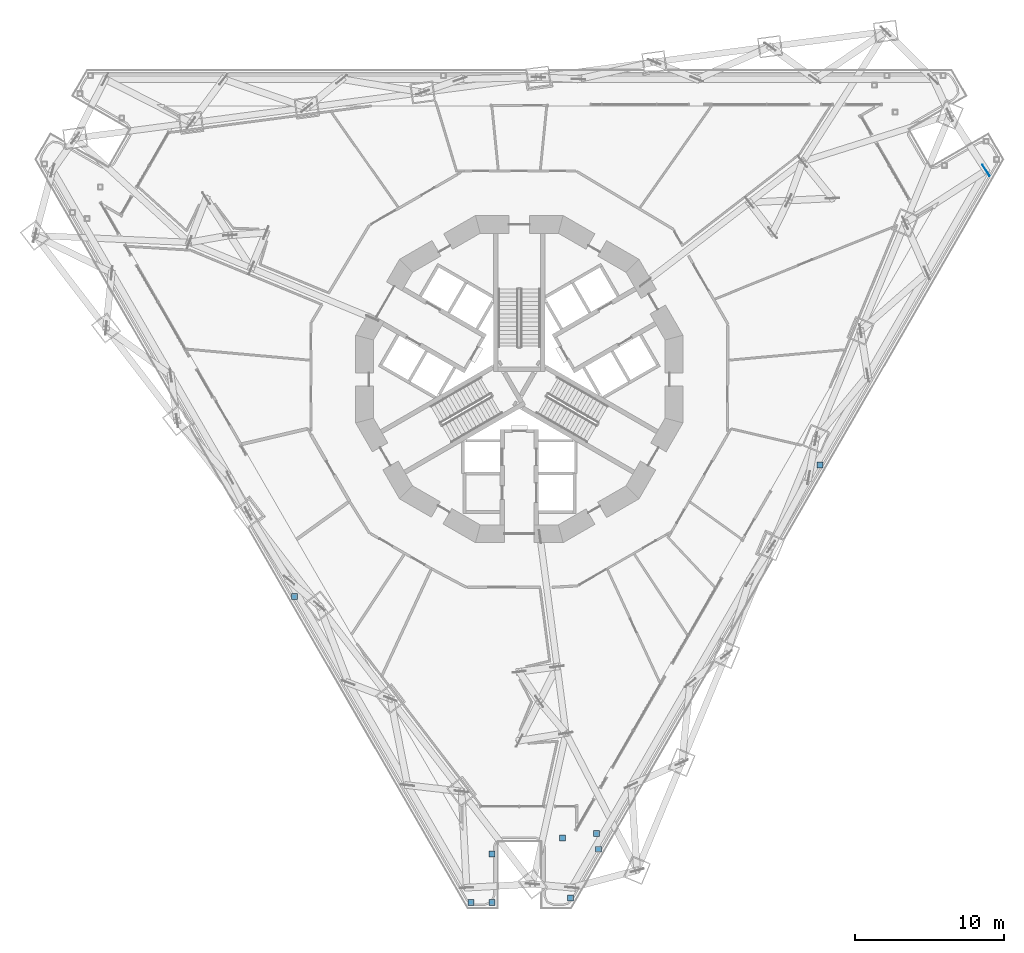
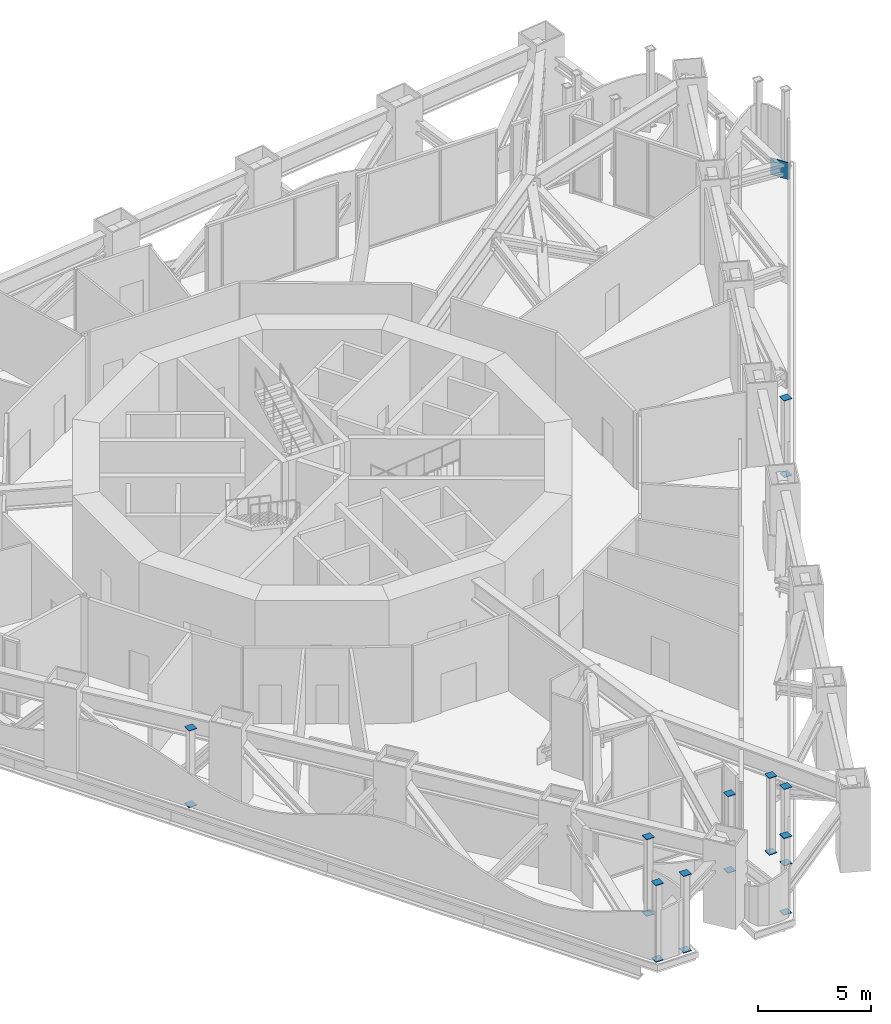
# One storey, part 19 of 28: 19 discrete accessories.
"""IFC4 building model written with IfcOpenShell, lengths in metres."""

import ifcopenshell
import ifcopenshell.guid

model = None  # the IFC model being written
_history = None  # IfcOwnerHistory: only IFC2X3 demands one
_inside = {}  # id of a spatial element -> (the spatial element, [elements in it])
_under = {}  # id of a project, library or spatial element -> (it, [spatial elements below it])
_declared = {}  # id of a project -> (the project, [libraries it declares])
_typed = {}  # id of a type object -> (the type object, [elements of that type])
_made_of = {}  # id of a material, layer set ... -> (it, [elements and type objects made of it])


def new_model(schema):
    """Start an empty IFC model of exactly this schema.

    Asked for "IFC4X3", IfcOpenShell would pick the latest addendum, in which some entities
    have other attributes; the version numbers below select the first issue.
    IFC2X3 requires an IfcOwnerHistory on every rooted entity: one is made here for all.
    """
    global model, _history
    if schema == "IFC4X3":
        model = ifcopenshell.file(schema_version=(4, 3, 0, 0))
    else:
        model = ifcopenshell.file(schema=schema)
    _inside.clear()
    _under.clear()
    _declared.clear()
    _typed.clear()
    _made_of.clear()
    _history = None
    if model.schema == "IFC2X3":
        org = make("IfcOrganization", Name="unknown")
        user = make(
            "IfcPersonAndOrganization",
            ThePerson=make("IfcPerson", FamilyName="unknown"),
            TheOrganization=org,
        )
        app = make(
            "IfcApplication",
            ApplicationDeveloper=org,
            Version="unknown",
            ApplicationFullName="unknown",
            ApplicationIdentifier="unknown",
        )
        _history = make(
            "IfcOwnerHistory",
            OwningUser=user,
            OwningApplication=app,
            ChangeAction="ADDED",
            CreationDate=0,
        )
    return model


def make(cls, **values):
    """One entity of the class cls with the attributes given. An attribute that is None is left unset."""
    return model.create_entity(
        cls, **{name: value for name, value in values.items() if value is not None}
    )


def rooted(cls, **values):
    """An entity with a GlobalId (a new one), such as an element, a storey or a relation."""
    return make(cls, GlobalId=ifcopenshell.guid.new(), OwnerHistory=_history, **values)


def si_unit(unit_type, name, prefix=None):
    """IfcSIUnit, for example si_unit("LENGTHUNIT", "METRE", prefix="MILLI")."""
    return make("IfcSIUnit", UnitType=unit_type, Prefix=prefix, Name=name)


def assignment(units):
    """IfcUnitAssignment: the units of a project."""
    return None if units is None else make("IfcUnitAssignment", Units=units)


def point(xyz):
    """IfcCartesianPoint."""
    return None if xyz is None else make("IfcCartesianPoint", Coordinates=xyz)


def direction(xyz):
    """IfcDirection."""
    return None if xyz is None else make("IfcDirection", DirectionRatios=xyz)


def frame(location, z_axis=None, x_axis=None):
    """IfcAxis2Placement3D, a coordinate frame: its origin and axes. An axis left out is left unset."""
    return make(
        "IfcAxis2Placement3D",
        Location=point(location),
        Axis=direction(z_axis),
        RefDirection=direction(x_axis),
    )


def frame_2d(location, x_axis=None):
    """IfcAxis2Placement2D, a coordinate frame in the plane: its origin and x axis."""
    return make(
        "IfcAxis2Placement2D", Location=point(location), RefDirection=direction(x_axis)
    )


def origin():
    """The frame at (0, 0, 0) with its axes left unset."""
    return frame((0.0, 0.0, 0.0))


def origin_2d():
    """The frame at (0, 0) in the plane with its x axis left unset."""
    return frame_2d((0.0, 0.0))


def place(relative_to, where):
    """IfcLocalPlacement: puts the frame where relative to a parent placement (None: the world)."""
    return make(
        "IfcLocalPlacement", PlacementRelTo=relative_to, RelativePlacement=where
    )


def context(
    kind, dimensions, precision=None, world=None, true_north=None, identifier=None
):
    """IfcGeometricRepresentationContext, for example the 3D "Model" context."""
    return make(
        "IfcGeometricRepresentationContext",
        ContextIdentifier=identifier,
        ContextType=kind,
        CoordinateSpaceDimension=dimensions,
        Precision=precision,
        WorldCoordinateSystem=world,
        TrueNorth=true_north,
    )


def subcontext(parent, identifier, kind, view, scale=None):
    """IfcGeometricRepresentationSubContext, for example "Body" below "Model"."""
    return make(
        "IfcGeometricRepresentationSubContext",
        ContextIdentifier=identifier,
        ContextType=kind,
        ParentContext=parent,
        TargetScale=scale,
        TargetView=view,
    )


def project(units=None, contexts=None):
    """IfcProject with its units and contexts."""
    return rooted(
        "IfcProject",
        Name="project",
        RepresentationContexts=contexts,
        UnitsInContext=assignment(units),
    )


def spatial(cls, under=None, at=None, **own):
    """A site, building, storey or space (cls), placed at a placement, below another one or the project."""
    s = rooted(cls, ObjectPlacement=at, **own)
    if under is not None:
        _under.setdefault(under.id(), (under, []))[1].append(s)
    return s


def profile(cls, at=None, kind="AREA", **sizes):
    """A parametric profile (cls). Its sizes go by their IFC names, for example OverallWidth=200.0."""
    return make(cls, ProfileType=kind, Position=at, **sizes)


def rectangle(**sizes):
    """IfcRectangleProfileDef."""
    return profile("IfcRectangleProfileDef", **sizes)


def extrude(swept, where, along, depth):
    """IfcExtrudedAreaSolid: the profile swept, set in the frame where, extruded along a direction by depth."""
    return make(
        "IfcExtrudedAreaSolid",
        SweptArea=swept,
        Position=where,
        ExtrudedDirection=direction(along),
        Depth=depth,
    )


def shape(context_of_items, identifier, shape_type, items):
    """IfcShapeRepresentation: the items that make up one representation, for example the "Body"."""
    return make(
        "IfcShapeRepresentation",
        ContextOfItems=context_of_items,
        RepresentationIdentifier=identifier,
        RepresentationType=shape_type,
        Items=items,
    )


def material(Name=None, Category=None):
    """IfcMaterial."""
    return make("IfcMaterial", Name=Name, Category=Category)


def made_of(thing, what):
    """Note that an element or type object is made of a material, layer set ...; save() writes the relation."""
    if what is not None:
        _made_of.setdefault(what.id(), (what, []))[1].append(thing)
    return thing


def element(
    cls,
    number,
    at=None,
    inside=None,
    cuts=None,
    type_object=None,
    material=None,
    context=None,
    identifier="Body",
    shape_type=None,
    held_by="IfcProductDefinitionShape",
    body=None,
    shapes=None,
    **own,
):
    """One element of the class cls, such as IfcWall. Its Tag is "e" and its number.

    at: its placement. inside: the storey or other place that contains it. cuts: it is an
    opening in that element (IfcRelVoidsElement). A single representation is given by context,
    identifier, shape_type and body (its items); several are given by shapes. held_by: the class
    of the entity that holds the representations. save() writes the other relations.
    """
    e = rooted(cls, Tag="e%d" % number, ObjectPlacement=at, **own)
    if body is not None:
        shapes = [shape(context, identifier, shape_type, body)]
    if shapes is not None:
        e.Representation = make(held_by, Representations=shapes)
    if inside is not None:
        _inside.setdefault(inside.id(), (inside, []))[1].append(e)
    if cuts is not None:
        rooted(
            "IfcRelVoidsElement", RelatingBuildingElement=cuts, RelatedOpeningElement=e
        )
    if type_object is not None:
        _typed.setdefault(type_object.id(), (type_object, []))[1].append(e)
    return made_of(e, material)


def aggregate(whole, parts):
    """IfcRelAggregates: a whole, such as a stair, and the parts it consists of."""
    return rooted("IfcRelAggregates", RelatingObject=whole, RelatedObjects=parts)


def save(model, path):
    """Write the relations noted so far, then the file.

    IfcRelAggregates (storeys below a building ...), IfcRelContainedInSpatialStructure (elements
    in a storey), IfcRelDefinesByType, IfcRelAssociatesMaterial and IfcRelDeclares: one each for
    every whole, place, type object, material and project.
    """
    for whole, parts in _under.values():
        aggregate(whole, parts)
    for where, things in _inside.values():
        rooted(
            "IfcRelContainedInSpatialStructure",
            RelatedElements=things,
            RelatingStructure=where,
        )
    for kind, things in _typed.values():
        rooted("IfcRelDefinesByType", RelatedObjects=things, RelatingType=kind)
    for what, things in _made_of.values():
        rooted("IfcRelAssociatesMaterial", RelatedObjects=things, RelatingMaterial=what)
    for by, libraries in _declared.values():
        rooted("IfcRelDeclares", RelatingContext=by, RelatedDefinitions=libraries)
    model.write(path)


model = new_model("IFC4")

# Units and contexts
model_context = context("Model", 3, precision=1e-05, world=origin(), true_north=direction((0.0, 1.0)))
body_context = subcontext(model_context, "Body", "Model", "MODEL_VIEW")
ifc_project = project(units=[si_unit("LENGTHUNIT", "METRE"), si_unit("AREAUNIT", "SQUARE_METRE"), si_unit("VOLUMEUNIT", "CUBIC_METRE"), si_unit("PLANEANGLEUNIT", "RADIAN"), si_unit("MASSUNIT", "GRAM", prefix="KILO")], contexts=[model_context])

# Site, building, storey
site_placement = place(None, origin())
site = spatial("IfcSite", under=ifc_project, at=site_placement, CompositionType="ELEMENT")
building_placement = place(site_placement, origin())
building = spatial("IfcBuilding", under=site, at=building_placement, Name="Trine Commons Tower", CompositionType="ELEMENT")
storey_placement = place(building_placement, frame((0.0, 0.0, 45.89990234375)))
storey = spatial("IfcBuildingStorey", under=building, at=storey_placement, Name="L10", CompositionType="ELEMENT", Elevation=45.89990234375)

# Discrete accessories
ifc_material = material(Name="Structural steel ASTM A572 Gr50", Category="steel")
discrete_accessory_placement = place(storey_placement, frame((111.416259765625, 76.54541015625, 0.07080078125), z_axis=(0.0, 0.0, 1.0), x_axis=(-0.546423581645, 0.837508966771, 0.0)))
element("IfcDiscreteAccessory", 1, at=discrete_accessory_placement, inside=storey, material=ifc_material, Name="Gusset plate GP1-30", PredefinedType="BRACKET", context=body_context, shape_type="SweptSolid", body=[
    extrude(rectangle(XDim=0.89990234375, YDim=0.0400390625, at=origin_2d()), origin(), (0.0, 0.0, 1.0), 0.89990234375),
])
for number, where, z_axis, x_axis, name in (
    (2, (78.14990234375, 27.28076171875, 0.0), (0.0, 0.0, 1.0), (1.0, 0.0, 0.0), "Post base plate SP1-31"),
    (3, (78.14990234375, 27.28076171875, 4.1201171875), (0.0, 0.0, 1.0), (1.0, 0.0, 0.0), "Post cap plate SP1-31"),
    (4, (76.738037109375, 27.28076171875, 0.0), (0.0, 0.0, 1.0), (1.0, 0.0, 0.0), "Post base plate SP1-32"),
    (5, (76.738037109375, 27.28076171875, 4.1201171875), (0.0, 0.0, 1.0), (1.0, 0.0, 0.0), "Post cap plate SP1-32"),
    (6, (64.858154296875, 47.857421875, 0.0), (0.0, 0.0, 1.0), (1.0, 0.0, 0.0), "Post base plate SP1-33"),
    (7, (64.858154296875, 47.857421875, 4.1201171875), (0.0, 0.0, 1.0), (1.0, 0.0, 0.0), "Post cap plate SP1-33"),
    (8, (78.14990234375, 30.534912109375, 0.0), (0.0, 0.0, 1.0), (1.0, 0.0, 0.0), "Post base plate SP1-34"),
    (9, (78.14990234375, 30.534912109375, 4.1201171875), (0.0, 0.0, 1.0), (1.0, 0.0, 0.0), "Post cap plate SP1-34"),
    (10, (83.43701171875, 27.583740234375, 0.0), (0.0, 0.0, 1.0), (1.0, 0.0, 0.0), "Post base plate SP1-41"),
    (11, (83.43701171875, 27.583740234375, 4.1201171875), (0.0, 0.0, 1.0), (1.0, 0.0, 0.0), "Post cap plate SP1-41"),
    (12, (82.906494140625, 31.611572265625, 0.0), (0.0, 0.0, 1.0), (1.0, 0.0, 0.0), "Post base plate SP1-42"),
    (13, (82.906494140625, 31.611572265625, 4.1201171875), (0.0, 0.0, 1.0), (1.0, 0.0, 0.0), "Post cap plate SP1-42"),
    (14, (85.18701171875, 31.911865234375, 0.0), (0.0, 0.0, 1.0), (1.0, 0.0, 0.0), "Post base plate SP1-43"),
    (15, (85.18701171875, 31.911865234375, 4.1201171875), (0.0, 0.0, 1.0), (1.0, 0.0, 0.0), "Post cap plate SP1-43"),
    (16, (85.325927734375, 30.855712890625, 0.0), (0.0, 0.0, 1.0), (1.0, 0.0, 0.0), "Post base plate SP1-44"),
    (17, (85.325927734375, 30.855712890625, 4.1201171875), (0.0, 0.0, 1.0), (1.0, 0.0, 0.0), "Post cap plate SP1-44"),
    (18, (100.251708984375, 56.7080078125, 0.0), (0.0, 0.0, 1.0), (1.0, 0.0, 0.0), "Post base plate SP1-63"),
    (19, (100.251708984375, 56.7080078125, 4.1201171875), (0.0, 0.0, 1.0), (1.0, 0.0, 0.0), "Post cap plate SP1-63"),
):
    element("IfcDiscreteAccessory", number, at=place(storey_placement, frame(where, z_axis=z_axis, x_axis=x_axis)), inside=storey, material=ifc_material, Name=name, PredefinedType="BRACKET", context=body_context, shape_type="SweptSolid", body=[
        extrude(rectangle(XDim=0.39990234375, YDim=0.39990234375, at=origin_2d()), origin(), (0.0, 0.0, 1.0), 0.030029296875),
    ])

save(model, "model.ifc")
